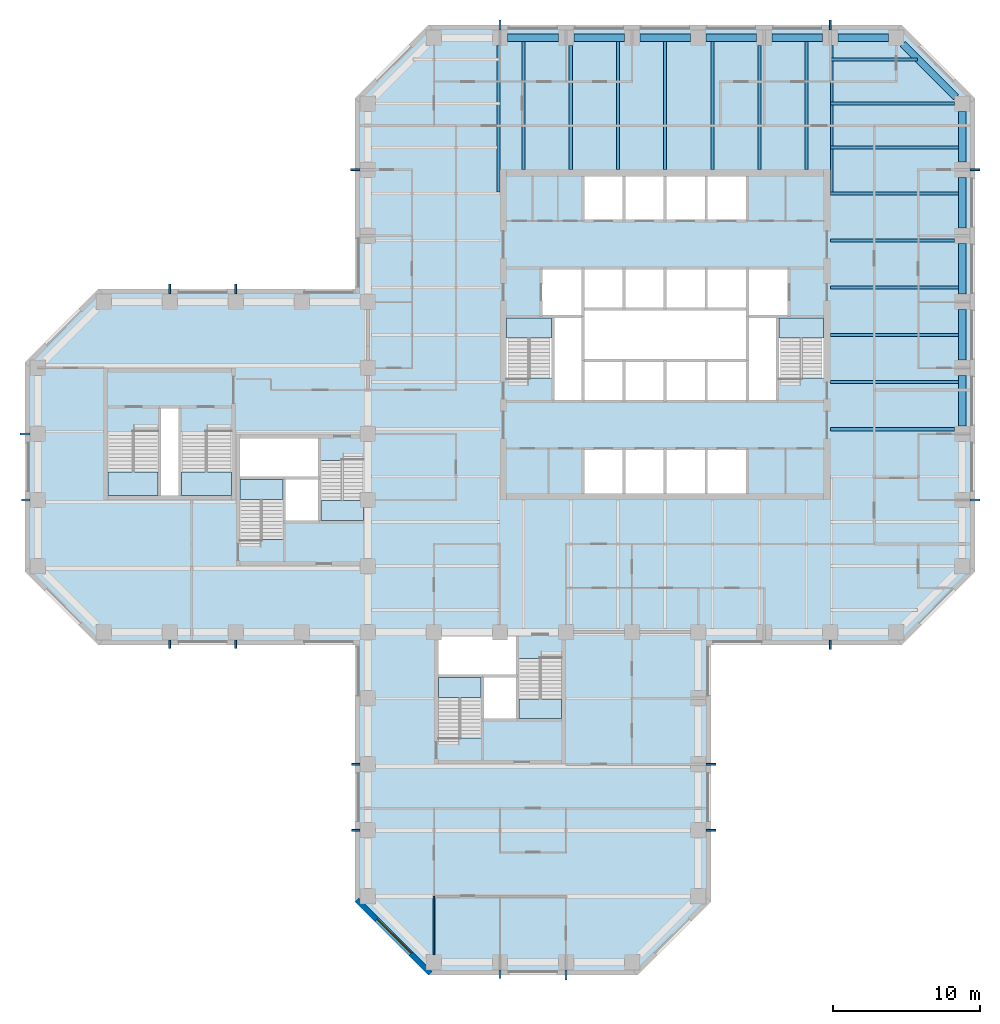
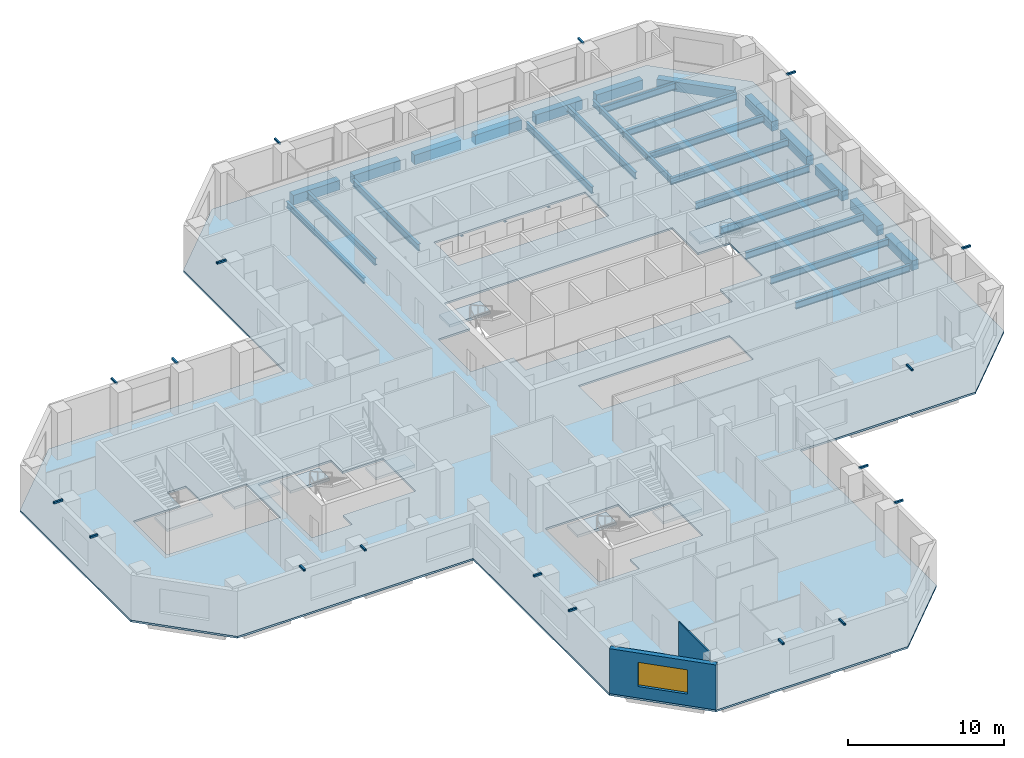
# One storey, part 2 of 11: 48 beams, 9 slabs, 2 walls, 1 window, 1 opening, 8 elements without a shape of their own.
"""IFC4 building model written with IfcOpenShell, lengths in metres."""

import ifcopenshell
import ifcopenshell.guid

model = None  # the IFC model being written
_history = None  # IfcOwnerHistory: only IFC2X3 demands one
_inside = {}  # id of a spatial element -> (the spatial element, [elements in it])
_under = {}  # id of a project, library or spatial element -> (it, [spatial elements below it])
_declared = {}  # id of a project -> (the project, [libraries it declares])
_typed = {}  # id of a type object -> (the type object, [elements of that type])
_made_of = {}  # id of a material, layer set ... -> (it, [elements and type objects made of it])


def new_model(schema):
    """Start an empty IFC model of exactly this schema.

    Asked for "IFC4X3", IfcOpenShell would pick the latest addendum, in which some entities
    have other attributes; the version numbers below select the first issue.
    IFC2X3 requires an IfcOwnerHistory on every rooted entity: one is made here for all.
    """
    global model, _history
    if schema == "IFC4X3":
        model = ifcopenshell.file(schema_version=(4, 3, 0, 0))
    else:
        model = ifcopenshell.file(schema=schema)
    _inside.clear()
    _under.clear()
    _declared.clear()
    _typed.clear()
    _made_of.clear()
    _history = None
    if model.schema == "IFC2X3":
        org = make("IfcOrganization", Name="unknown")
        user = make(
            "IfcPersonAndOrganization",
            ThePerson=make("IfcPerson", FamilyName="unknown"),
            TheOrganization=org,
        )
        app = make(
            "IfcApplication",
            ApplicationDeveloper=org,
            Version="unknown",
            ApplicationFullName="unknown",
            ApplicationIdentifier="unknown",
        )
        _history = make(
            "IfcOwnerHistory",
            OwningUser=user,
            OwningApplication=app,
            ChangeAction="ADDED",
            CreationDate=0,
        )
    return model


def make(cls, **values):
    """One entity of the class cls with the attributes given. An attribute that is None is left unset."""
    return model.create_entity(
        cls, **{name: value for name, value in values.items() if value is not None}
    )


def rooted(cls, **values):
    """An entity with a GlobalId (a new one), such as an element, a storey or a relation."""
    return make(cls, GlobalId=ifcopenshell.guid.new(), OwnerHistory=_history, **values)


def si_unit(unit_type, name, prefix=None):
    """IfcSIUnit, for example si_unit("LENGTHUNIT", "METRE", prefix="MILLI")."""
    return make("IfcSIUnit", UnitType=unit_type, Prefix=prefix, Name=name)


def assignment(units):
    """IfcUnitAssignment: the units of a project."""
    return None if units is None else make("IfcUnitAssignment", Units=units)


def point(xyz):
    """IfcCartesianPoint."""
    return None if xyz is None else make("IfcCartesianPoint", Coordinates=xyz)


def direction(xyz):
    """IfcDirection."""
    return None if xyz is None else make("IfcDirection", DirectionRatios=xyz)


def frame(location, z_axis=None, x_axis=None):
    """IfcAxis2Placement3D, a coordinate frame: its origin and axes. An axis left out is left unset."""
    return make(
        "IfcAxis2Placement3D",
        Location=point(location),
        Axis=direction(z_axis),
        RefDirection=direction(x_axis),
    )


def frame_2d(location, x_axis=None):
    """IfcAxis2Placement2D, a coordinate frame in the plane: its origin and x axis."""
    return make(
        "IfcAxis2Placement2D", Location=point(location), RefDirection=direction(x_axis)
    )


def origin():
    """The frame at (0, 0, 0) with its axes left unset."""
    return frame((0.0, 0.0, 0.0))


def origin_2d():
    """The frame at (0, 0) in the plane with its x axis left unset."""
    return frame_2d((0.0, 0.0))


def place(relative_to, where):
    """IfcLocalPlacement: puts the frame where relative to a parent placement (None: the world)."""
    return make(
        "IfcLocalPlacement", PlacementRelTo=relative_to, RelativePlacement=where
    )


def context(
    kind, dimensions, precision=None, world=None, true_north=None, identifier=None
):
    """IfcGeometricRepresentationContext, for example the 3D "Model" context."""
    return make(
        "IfcGeometricRepresentationContext",
        ContextIdentifier=identifier,
        ContextType=kind,
        CoordinateSpaceDimension=dimensions,
        Precision=precision,
        WorldCoordinateSystem=world,
        TrueNorth=true_north,
    )


def subcontext(parent, identifier, kind, view, scale=None):
    """IfcGeometricRepresentationSubContext, for example "Body" below "Model"."""
    return make(
        "IfcGeometricRepresentationSubContext",
        ContextIdentifier=identifier,
        ContextType=kind,
        ParentContext=parent,
        TargetScale=scale,
        TargetView=view,
    )


def project(units=None, contexts=None):
    """IfcProject with its units and contexts."""
    return rooted(
        "IfcProject",
        Name="project",
        RepresentationContexts=contexts,
        UnitsInContext=assignment(units),
    )


def spatial(cls, under=None, at=None, **own):
    """A site, building, storey or space (cls), placed at a placement, below another one or the project."""
    s = rooted(cls, ObjectPlacement=at, **own)
    if under is not None:
        _under.setdefault(under.id(), (under, []))[1].append(s)
    return s


def polyline(points):
    """IfcPolyline through the points."""
    return make("IfcPolyline", Points=[point(p) for p in points])


def profile(cls, at=None, kind="AREA", **sizes):
    """A parametric profile (cls). Its sizes go by their IFC names, for example OverallWidth=200.0."""
    return make(cls, ProfileType=kind, Position=at, **sizes)


def rectangle(**sizes):
    """IfcRectangleProfileDef."""
    return profile("IfcRectangleProfileDef", **sizes)


def hollow_rectangle(**sizes):
    """IfcRectangleHollowProfileDef."""
    return profile("IfcRectangleHollowProfileDef", **sizes)


def i_section(**sizes):
    """IfcIShapeProfileDef."""
    return profile("IfcIShapeProfileDef", **sizes)


def outline(outer, holes=None, kind="AREA"):
    """IfcArbitraryClosedProfileDef: a profile drawn as a closed curve; with holes, ...WithVoids."""
    if holes is None:
        return make("IfcArbitraryClosedProfileDef", ProfileType=kind, OuterCurve=outer)
    return make(
        "IfcArbitraryProfileDefWithVoids",
        ProfileType=kind,
        OuterCurve=outer,
        InnerCurves=holes,
    )


def extrude(swept, where, along, depth):
    """IfcExtrudedAreaSolid: the profile swept, set in the frame where, extruded along a direction by depth."""
    return make(
        "IfcExtrudedAreaSolid",
        SweptArea=swept,
        Position=where,
        ExtrudedDirection=direction(along),
        Depth=depth,
    )


def shape(context_of_items, identifier, shape_type, items):
    """IfcShapeRepresentation: the items that make up one representation, for example the "Body"."""
    return make(
        "IfcShapeRepresentation",
        ContextOfItems=context_of_items,
        RepresentationIdentifier=identifier,
        RepresentationType=shape_type,
        Items=items,
    )


def material(Name=None, Category=None):
    """IfcMaterial."""
    return make("IfcMaterial", Name=Name, Category=Category)


def layer(
    of_material, thickness, ventilated=None, Name=None, Category=None, Priority=None
):
    """IfcMaterialLayer: one layer of a wall or slab, of a material (None: an air gap)."""
    return make(
        "IfcMaterialLayer",
        Material=of_material,
        LayerThickness=thickness,
        IsVentilated=ventilated,
        Name=Name,
        Category=Category,
        Priority=Priority,
    )


def layer_set(layers, Name=None):
    """IfcMaterialLayerSet."""
    return make("IfcMaterialLayerSet", MaterialLayers=layers, LayerSetName=Name)


def constituent(of_material, Name=None, Category=None, fraction=None):
    """IfcMaterialConstituent: one of the materials an element consists of."""
    return make(
        "IfcMaterialConstituent",
        Name=Name,
        Material=of_material,
        Fraction=fraction,
        Category=Category,
    )


def constituent_set(constituents=None, Name=None):
    """IfcMaterialConstituentSet."""
    return make(
        "IfcMaterialConstituentSet", Name=Name, MaterialConstituents=constituents
    )


def material_profile(
    of_material, cross_section, Name=None, Category=None, Priority=None
):
    """IfcMaterialProfile: a cross section and its material."""
    return make(
        "IfcMaterialProfile",
        Name=Name,
        Material=of_material,
        Profile=cross_section,
        Priority=Priority,
        Category=Category,
    )


def profile_set(profiles, Name=None, composite=None):
    """IfcMaterialProfileSet."""
    return make(
        "IfcMaterialProfileSet",
        Name=Name,
        MaterialProfiles=profiles,
        CompositeProfile=composite,
    )


def made_of(thing, what):
    """Note that an element or type object is made of a material, layer set ...; save() writes the relation."""
    if what is not None:
        _made_of.setdefault(what.id(), (what, []))[1].append(thing)
    return thing


def type_object(cls, material=None, **own):
    """A type object (cls), such as IfcWallType, which elements share."""
    return made_of(rooted(cls, **own), material)


def element(
    cls,
    number,
    at=None,
    inside=None,
    cuts=None,
    type_object=None,
    material=None,
    context=None,
    identifier="Body",
    shape_type=None,
    held_by="IfcProductDefinitionShape",
    body=None,
    shapes=None,
    **own,
):
    """One element of the class cls, such as IfcWall. Its Tag is "e" and its number.

    at: its placement. inside: the storey or other place that contains it. cuts: it is an
    opening in that element (IfcRelVoidsElement). A single representation is given by context,
    identifier, shape_type and body (its items); several are given by shapes. held_by: the class
    of the entity that holds the representations. save() writes the other relations.
    """
    e = rooted(cls, Tag="e%d" % number, ObjectPlacement=at, **own)
    if body is not None:
        shapes = [shape(context, identifier, shape_type, body)]
    if shapes is not None:
        e.Representation = make(held_by, Representations=shapes)
    if inside is not None:
        _inside.setdefault(inside.id(), (inside, []))[1].append(e)
    if cuts is not None:
        rooted(
            "IfcRelVoidsElement", RelatingBuildingElement=cuts, RelatedOpeningElement=e
        )
    if type_object is not None:
        _typed.setdefault(type_object.id(), (type_object, []))[1].append(e)
    return made_of(e, material)


def fill(opening, filler):
    """IfcRelFillsElement: the door or window that sits in an opening."""
    return rooted(
        "IfcRelFillsElement",
        RelatingOpeningElement=opening,
        RelatedBuildingElement=filler,
    )


def aggregate(whole, parts):
    """IfcRelAggregates: a whole, such as a stair, and the parts it consists of."""
    return rooted("IfcRelAggregates", RelatingObject=whole, RelatedObjects=parts)


def save(model, path):
    """Write the relations noted so far, then the file.

    IfcRelAggregates (storeys below a building ...), IfcRelContainedInSpatialStructure (elements
    in a storey), IfcRelDefinesByType, IfcRelAssociatesMaterial and IfcRelDeclares: one each for
    every whole, place, type object, material and project.
    """
    for whole, parts in _under.values():
        aggregate(whole, parts)
    for where, things in _inside.values():
        rooted(
            "IfcRelContainedInSpatialStructure",
            RelatedElements=things,
            RelatingStructure=where,
        )
    for kind, things in _typed.values():
        rooted("IfcRelDefinesByType", RelatedObjects=things, RelatingType=kind)
    for what, things in _made_of.values():
        rooted("IfcRelAssociatesMaterial", RelatedObjects=things, RelatingMaterial=what)
    for by, libraries in _declared.values():
        rooted("IfcRelDeclares", RelatingContext=by, RelatedDefinitions=libraries)
    model.write(path)


model = new_model("IFC4")

# Units and contexts
model_context = context("Model", 3, precision=1e-05, world=origin(), true_north=direction((0.0, 1.0)))
body_context = subcontext(model_context, "Body", "Model", "MODEL_VIEW")
ifc_project = project(units=[si_unit("LENGTHUNIT", "METRE"), si_unit("AREAUNIT", "SQUARE_METRE"), si_unit("VOLUMEUNIT", "CUBIC_METRE"), si_unit("PLANEANGLEUNIT", "RADIAN"), si_unit("MASSUNIT", "GRAM", prefix="KILO")], contexts=[model_context])

# Site, building, storey
site_placement = place(None, origin())
site = spatial("IfcSite", under=ifc_project, at=site_placement, CompositionType="ELEMENT")
building_placement = place(site_placement, origin())
building = spatial("IfcBuilding", under=site, at=building_placement, Name="Quoin Convention Tower", CompositionType="ELEMENT")
storey_placement = place(building_placement, frame((0.0, 0.0, 108.5)))
storey = spatial("IfcBuildingStorey", under=building, at=storey_placement, Name="L28", CompositionType="ELEMENT", Elevation=108.5)

# Beams
ifc_material_1 = material(Name="Steel C450L0", Category="steel")
ifc_material_profile_1 = material_profile(ifc_material_1, hollow_rectangle(XDim=0.14990234375, YDim=0.14990234375, WallThickness=0.008056640625, InnerFilletRadius=0.011962890625, OuterFilletRadius=0.02001953125, at=origin_2d()), Name="150x150x8.0SHS")
ifc_profile_set_1 = profile_set([ifc_material_profile_1], Name="Steel C450L0")
beam_type_1 = type_object("IfcBeamType", Name="150x150x8.0SHS", PredefinedType="BEAM", material=ifc_profile_set_1)
beam_1_placement = place(storey_placement, frame((12.97509765625, 54.0, 3.625), z_axis=(-1.0, 0.0, 0.0), x_axis=(0.0, -1.0, 0.0)))
element("IfcBeam", 1, at=beam_1_placement, inside=storey, type_object=beam_type_1, Name="brk-hi-L25-13500_58500-13500_54000", PredefinedType="BEAM", context=body_context, shape_type="SweptSolid", body=[
    extrude(hollow_rectangle(XDim=0.14990234375, YDim=0.14990234375, WallThickness=0.008056640625, InnerFilletRadius=0.011962890625, OuterFilletRadius=0.02001953125, at=origin_2d()), origin(), (0.0, 0.0, 1.0), 0.675048828125),
])
for number, where, z_axis, x_axis, name in (
    (2, (12.97509765625, 49.5, 3.625), (-1.0, 0.0, 0.0), (0.0, -1.0, 0.0), "brk-hi-L25-13500_49500-13500_45000"),
    (3, (22.5, 39.97509765625, 3.625), (0.0, -1.0, 0.0), (1.0, 0.0, 0.0), "brk-hi-L25-18000_40500-22500_40500"),
    (4, (27.0, 39.97509765625, 3.625), (0.0, -1.0, 0.0), (1.0, 0.0, 0.0), "brk-hi-L25-27000_40500-31500_40500"),
    (5, (35.47509765625, 31.5, 3.625), (-1.0, 0.0, 0.0), (0.0, -1.0, 0.0), "brk-hi-L25-36000_36000-36000_31500"),
    (6, (35.47509765625, 27.0, 3.625), (-1.0, 0.0, 0.0), (0.0, -1.0, 0.0), "brk-hi-L25-36000_27000-36000_22500"),
):
    element("IfcBeam", number, at=place(storey_placement, frame(where, z_axis=z_axis, x_axis=x_axis)), inside=storey, type_object=beam_type_1, Name=name, PredefinedType="BEAM", context=body_context, shape_type="SweptSolid", body=[
        extrude(hollow_rectangle(XDim=0.14990234375, YDim=0.14990234375, WallThickness=0.008056640625, InnerFilletRadius=0.011962890625, OuterFilletRadius=0.02001953125, at=origin_2d()), origin(), (0.0, 0.0, 1.0), 0.5751953125),
    ])
for number, where, z_axis, x_axis, name in (
    (7, (27.0, 63.52490234375, 3.625), (0.0, 1.0, 0.0), (-1.0, 0.0, 0.0), "brk-hi-L25-31500_63000-27000_63000"),
    (8, (22.5, 63.52490234375, 3.625), (0.0, 1.0, 0.0), (-1.0, 0.0, 0.0), "brk-hi-L25-22500_63000-18000_63000"),
    (9, (35.47509765625, 72.0, 3.625), (-1.0, 0.0, 0.0), (0.0, -1.0, 0.0), "brk-hi-L25-36000_76500-36000_72000"),
):
    element("IfcBeam", number, at=place(storey_placement, frame(where, z_axis=z_axis, x_axis=x_axis)), inside=storey, type_object=beam_type_1, Name=name, PredefinedType="BEAM", context=body_context, shape_type="SweptSolid", body=[
        extrude(hollow_rectangle(XDim=0.14990234375, YDim=0.14990234375, WallThickness=0.008056640625, InnerFilletRadius=0.011962890625, OuterFilletRadius=0.02001953125, at=origin_2d()), origin(), (0.0, 0.0, 1.0), 0.675048828125),
    ])
beam_2_placement = place(storey_placement, frame((45.0, 17.47509765625, 3.625), z_axis=(0.0, -1.0, 0.0), x_axis=(1.0, 0.0, 0.0)))
element("IfcBeam", 10, at=beam_2_placement, inside=storey, type_object=beam_type_1, Name="brk-hi-L25-40500_18000-45000_18000", PredefinedType="BEAM", context=body_context, shape_type="SweptSolid", body=[
    extrude(hollow_rectangle(XDim=0.14990234375, YDim=0.14990234375, WallThickness=0.008056640625, InnerFilletRadius=0.011962890625, OuterFilletRadius=0.02001953125, at=origin_2d()), origin(), (0.0, 0.0, 1.0), 0.5751953125),
])
for number, where, z_axis, x_axis, name in (
    (11, (49.5, 17.47509765625, 3.625), (0.0, -1.0, 0.0), (1.0, 0.0, 0.0), "brk-hi-L25-49500_18000-54000_18000"),
    (12, (59.02490234375, 27.0, 3.625), (1.0, 0.0, 0.0), (0.0, 1.0, 0.0), "brk-hi-L25-58500_22500-58500_27000"),
    (13, (59.02490234375, 31.5, 3.625), (1.0, 0.0, 0.0), (0.0, 1.0, 0.0), "brk-hi-L25-58500_31500-58500_36000"),
    (14, (67.5, 39.97509765625, 3.625), (0.0, -1.0, 0.0), (1.0, 0.0, 0.0), "brk-hi-L25-63000_40500-67500_40500"),
    (15, (67.5, 81.52490234375, 3.625), (0.0, 1.0, 0.0), (-1.0, 0.0, 0.0), "brk-hi-L25-72000_81000-67500_81000"),
    (16, (45.0, 81.52490234375, 3.625), (0.0, 1.0, 0.0), (-1.0, 0.0, 0.0), "brk-hi-L25-45000_81000-40500_81000"),
    (17, (77.02490234375, 49.5, 3.625), (1.0, 0.0, 0.0), (0.0, 1.0, 0.0), "brk-hi-L25-76500_45000-76500_49500"),
    (18, (77.02490234375, 72.0, 3.625), (1.0, 0.0, 0.0), (0.0, 1.0, 0.0), "brk-hi-L25-76500_72000-76500_76500"),
):
    element("IfcBeam", number, at=place(storey_placement, frame(where, z_axis=z_axis, x_axis=x_axis)), inside=storey, type_object=beam_type_1, Name=name, PredefinedType="BEAM", context=body_context, shape_type="SweptSolid", body=[
        extrude(hollow_rectangle(XDim=0.14990234375, YDim=0.14990234375, WallThickness=0.008056640625, InnerFilletRadius=0.011962890625, OuterFilletRadius=0.02001953125, at=origin_2d()), origin(), (0.0, 0.0, 1.0), 0.675048828125),
    ])
ifc_material_2 = material(Name="Steel Grade 300", Category="steel")
ifc_material_profile_2 = material_profile(ifc_material_2, i_section(OverallWidth=0.18994140625, OverallDepth=0.4541015625, WebThickness=0.008544921875, FlangeThickness=0.0126953125, FilletRadius=0.011474609375, at=origin_2d()), Name="460UB67.1")
ifc_profile_set_2 = profile_set([ifc_material_profile_2], Name="Steel Grade 300")
beam_type_2 = type_object("IfcBeamType", Name="460UB67.1", PredefinedType="BEAM", material=ifc_profile_set_2)
for number, where, z_axis, x_axis, name in (
    (19, (44.8955078125, 80.47509765625, -0.376953125), (0.0, -1.0, 0.0), (1.0, 0.0, 0.0), "gir-L28-T1NW"),
    (20, (67.6044921875, 80.47509765625, -0.376953125), (0.0, -1.0, 0.0), (1.0, 0.0, 0.0), "gir-L28-T1NE"),
):
    element("IfcBeam", number, at=place(storey_placement, frame(where, z_axis=z_axis, x_axis=x_axis)), inside=storey, type_object=beam_type_2, Name=name, PredefinedType="BEAM", context=body_context, shape_type="SweptSolid", body=[
        extrude(i_section(OverallWidth=0.18994140625, OverallDepth=0.4541015625, WebThickness=0.008544921875, FlangeThickness=0.0126953125, FilletRadius=0.011474609375, at=origin_2d()), origin(), (0.0, 0.0, 1.0), 9.977783203125),
    ])
ifc_material_profile_3 = material_profile(ifc_material_2, i_section(OverallWidth=0.208984375, OverallDepth=0.528076171875, WebThickness=0.009521484375, FlangeThickness=0.01318359375, FilletRadius=0.013916015625, at=origin_2d()), Name="530UB82.0")
ifc_profile_set_3 = profile_set([ifc_material_profile_3], Name="Steel Grade 300")
beam_type_3 = type_object("IfcBeamType", Name="530UB82.0", PredefinedType="BEAM", material=ifc_profile_set_3)
beam_3_placement = place(storey_placement, frame((67.5, 54.3212890625, -0.4140625), z_axis=(1.0, 0.0, 0.0), x_axis=(0.0, 1.0, 0.0)))
element("IfcBeam", 21, at=beam_3_placement, inside=storey, type_object=beam_type_3, Name="bm-L28-T1E1", PredefinedType="BEAM", context=body_context, shape_type="SweptSolid", body=[
    extrude(i_section(OverallWidth=0.208984375, OverallDepth=0.528076171875, WebThickness=0.009521484375, FlangeThickness=0.01318359375, FilletRadius=0.013916015625, at=origin_2d()), origin(), (0.0, 0.0, 1.0), 8.47509765625),
])
for number, where, z_axis, x_axis, name in (
    (22, (67.5, 57.53564453125, -0.4140625), (1.0, 0.0, 0.0), (0.0, 1.0, 0.0), "bm-L28-T1E2"),
    (23, (67.5, 60.75, -0.4140625), (1.0, 0.0, 0.0), (0.0, 1.0, 0.0), "bm-L28-T1E3"),
    (24, (67.5, 63.96435546875, -0.4140625), (1.0, 0.0, 0.0), (0.0, 1.0, 0.0), "bm-L28-T1E4"),
):
    element("IfcBeam", number, at=place(storey_placement, frame(where, z_axis=z_axis, x_axis=x_axis)), inside=storey, type_object=beam_type_3, Name=name, PredefinedType="BEAM", context=body_context, shape_type="SweptSolid", body=[
        extrude(i_section(OverallWidth=0.208984375, OverallDepth=0.528076171875, WebThickness=0.009521484375, FlangeThickness=0.01318359375, FilletRadius=0.013916015625, at=origin_2d()), origin(), (0.0, 0.0, 1.0), 8.75),
    ])
beam_4_placement = place(storey_placement, frame((67.5, 67.1787109375, -0.4140625), z_axis=(1.0, 0.0, 0.0), x_axis=(0.0, 1.0, 0.0)))
element("IfcBeam", 25, at=beam_4_placement, inside=storey, type_object=beam_type_3, Name="bm-L28-T1E5", PredefinedType="BEAM", context=body_context, shape_type="SweptSolid", body=[
    extrude(i_section(OverallWidth=0.208984375, OverallDepth=0.528076171875, WebThickness=0.009521484375, FlangeThickness=0.01318359375, FilletRadius=0.013916015625, at=origin_2d()), origin(), (0.0, 0.0, 1.0), 8.47509765625),
])
for number, where, z_axis, x_axis, name in (
    (26, (67.5, 70.392822265625, -0.4140625), (1.0, 0.0, 0.0), (0.0, 1.0, 0.0), "bm-L28-T1E6"),
    (27, (46.607177734375, 72.0, -0.4140625), (0.0, 1.0, 0.0), (-1.0, 0.0, 0.0), "bm-L28-T1N0"),
):
    element("IfcBeam", number, at=place(storey_placement, frame(where, z_axis=z_axis, x_axis=x_axis)), inside=storey, type_object=beam_type_3, Name=name, PredefinedType="BEAM", context=body_context, shape_type="SweptSolid", body=[
        extrude(i_section(OverallWidth=0.208984375, OverallDepth=0.528076171875, WebThickness=0.009521484375, FlangeThickness=0.01318359375, FilletRadius=0.013916015625, at=origin_2d()), origin(), (0.0, 0.0, 1.0), 8.75),
    ])
beam_5_placement = place(storey_placement, frame((49.8212890625, 72.0, -0.4140625), z_axis=(0.0, 1.0, 0.0), x_axis=(-1.0, 0.0, 0.0)))
element("IfcBeam", 28, at=beam_5_placement, inside=storey, type_object=beam_type_3, Name="bm-L28-T1N1", PredefinedType="BEAM", context=body_context, shape_type="SweptSolid", body=[
    extrude(i_section(OverallWidth=0.208984375, OverallDepth=0.528076171875, WebThickness=0.009521484375, FlangeThickness=0.01318359375, FilletRadius=0.013916015625, at=origin_2d()), origin(), (0.0, 0.0, 1.0), 8.47509765625),
])
for number, where, z_axis, x_axis, name in (
    (29, (53.03564453125, 72.0, -0.4140625), (0.0, 1.0, 0.0), (-1.0, 0.0, 0.0), "bm-L28-T1N2"),
    (30, (56.25, 72.0, -0.4140625), (0.0, 1.0, 0.0), (-1.0, 0.0, 0.0), "bm-L28-T1N3"),
    (31, (59.46435546875, 72.0, -0.4140625), (0.0, 1.0, 0.0), (-1.0, 0.0, 0.0), "bm-L28-T1N4"),
):
    element("IfcBeam", number, at=place(storey_placement, frame(where, z_axis=z_axis, x_axis=x_axis)), inside=storey, type_object=beam_type_3, Name=name, PredefinedType="BEAM", context=body_context, shape_type="SweptSolid", body=[
        extrude(i_section(OverallWidth=0.208984375, OverallDepth=0.528076171875, WebThickness=0.009521484375, FlangeThickness=0.01318359375, FilletRadius=0.013916015625, at=origin_2d()), origin(), (0.0, 0.0, 1.0), 8.75),
    ])
beam_6_placement = place(storey_placement, frame((62.6787109375, 72.0, -0.4140625), z_axis=(0.0, 1.0, 0.0), x_axis=(-1.0, 0.0, 0.0)))
element("IfcBeam", 32, at=beam_6_placement, inside=storey, type_object=beam_type_3, Name="bm-L28-T1N5", PredefinedType="BEAM", context=body_context, shape_type="SweptSolid", body=[
    extrude(i_section(OverallWidth=0.208984375, OverallDepth=0.528076171875, WebThickness=0.009521484375, FlangeThickness=0.01318359375, FilletRadius=0.013916015625, at=origin_2d()), origin(), (0.0, 0.0, 1.0), 8.47509765625),
])
beam_7_placement = place(storey_placement, frame((65.892822265625, 72.0, -0.4140625), z_axis=(0.0, 1.0, 0.0), x_axis=(-1.0, 0.0, 0.0)))
element("IfcBeam", 33, at=beam_7_placement, inside=storey, type_object=beam_type_3, Name="bm-L28-T1N6", PredefinedType="BEAM", context=body_context, shape_type="SweptSolid", body=[
    extrude(i_section(OverallWidth=0.208984375, OverallDepth=0.528076171875, WebThickness=0.009521484375, FlangeThickness=0.01318359375, FilletRadius=0.013916015625, at=origin_2d()), origin(), (0.0, 0.0, 1.0), 8.75),
])
beam_8_placement = place(storey_placement, frame((67.5, 79.5, -0.4140625), z_axis=(1.0, 0.0, 0.0), x_axis=(0.0, 1.0, 0.0)))
element("IfcBeam", 34, at=beam_8_placement, inside=storey, type_object=beam_type_3, Name="bm-L28-T1NE0", PredefinedType="BEAM", context=body_context, shape_type="SweptSolid", body=[
    extrude(i_section(OverallWidth=0.208984375, OverallDepth=0.528076171875, WebThickness=0.009521484375, FlangeThickness=0.01318359375, FilletRadius=0.013916015625, at=origin_2d()), origin(), (0.0, 0.0, 1.0), 5.927734375),
])
beam_9_placement = place(storey_placement, frame((67.5, 76.5, -0.4140625), z_axis=(1.0, 0.0, 0.0), x_axis=(0.0, 1.0, 0.0)))
element("IfcBeam", 35, at=beam_9_placement, inside=storey, type_object=beam_type_3, Name="bm-L28-T1NE1", PredefinedType="BEAM", context=body_context, shape_type="SweptSolid", body=[
    extrude(i_section(OverallWidth=0.208984375, OverallDepth=0.528076171875, WebThickness=0.009521484375, FlangeThickness=0.01318359375, FilletRadius=0.013916015625, at=origin_2d()), origin(), (0.0, 0.0, 1.0), 8.47509765625),
])
beam_10_placement = place(storey_placement, frame((67.5, 73.5, -0.4140625), z_axis=(1.0, 0.0, 0.0), x_axis=(0.0, 1.0, 0.0)))
element("IfcBeam", 36, at=beam_10_placement, inside=storey, type_object=beam_type_3, Name="bm-L28-T1NE2", PredefinedType="BEAM", context=body_context, shape_type="SweptSolid", body=[
    extrude(i_section(OverallWidth=0.208984375, OverallDepth=0.528076171875, WebThickness=0.009521484375, FlangeThickness=0.01318359375, FilletRadius=0.013916015625, at=origin_2d()), origin(), (0.0, 0.0, 1.0), 8.75),
])
ifc_material_3 = material(Name="Concrete C65", Category="concrete")
ifc_material_profile_4 = material_profile(ifc_material_3, rectangle(XDim=0.5, YDim=0.75, at=origin_2d()), Name="RC 500x750")
ifc_profile_set_4 = profile_set([ifc_material_profile_4], Name="Concrete C65")
beam_type_4 = type_object("IfcBeamType", Name="RC 500x750 C65", PredefinedType="SPANDREL", material=ifc_profile_set_4)
for number, where, z_axis, x_axis, name in (
    (37, (76.5, 54.52490234375, -0.52490234375), (0.0, 1.0, 0.0), (-1.0, 0.0, 0.0), "spd-L28-76500_54000-76500_58500"),
    (38, (76.5, 59.02490234375, -0.52490234375), (0.0, 1.0, 0.0), (-1.0, 0.0, 0.0), "spd-L28-76500_58500-76500_63000"),
    (39, (76.5, 63.52490234375, -0.52490234375), (0.0, 1.0, 0.0), (-1.0, 0.0, 0.0), "spd-L28-76500_63000-76500_67500"),
    (40, (76.5, 68.02490234375, -0.52490234375), (0.0, 1.0, 0.0), (-1.0, 0.0, 0.0), "spd-L28-76500_67500-76500_72000"),
    (41, (76.5, 72.52490234375, -0.52490234375), (0.0, 1.0, 0.0), (-1.0, 0.0, 0.0), "spd-L28-76500_72000-76500_76500"),
):
    element("IfcBeam", number, at=place(storey_placement, frame(where, z_axis=z_axis, x_axis=x_axis)), inside=storey, type_object=beam_type_4, Name=name, PredefinedType="SPANDREL", context=body_context, shape_type="SweptSolid", body=[
        extrude(rectangle(XDim=0.5, YDim=0.75, at=origin_2d()), origin(), (0.0, 0.0, 1.0), 3.4501953125),
    ])
beam_11_placement = place(storey_placement, frame((76.059814453125, 76.940185546875, -0.52490234375), z_axis=(-0.707106781187, 0.707106781187, 0.0), x_axis=(-0.707106781187, -0.707106781187, 0.0)))
element("IfcBeam", 42, at=beam_11_placement, inside=storey, type_object=beam_type_4, Name="spd-L28-76500_76500-72000_81000", PredefinedType="SPANDREL", context=body_context, shape_type="SweptSolid", body=[
    extrude(rectangle(XDim=0.5, YDim=0.75, at=origin_2d()), origin(), (0.0, 0.0, 1.0), 5.118896484375),
])
for number, where, z_axis, x_axis, name in (
    (43, (71.47509765625, 81.0, -0.52490234375), (-1.0, 0.0, 0.0), (0.0, -1.0, 0.0), "spd-L28-72000_81000-67500_81000"),
    (44, (66.97509765625, 81.0, -0.52490234375), (-1.0, 0.0, 0.0), (0.0, -1.0, 0.0), "spd-L28-67500_81000-63000_81000"),
    (45, (62.47509765625, 81.0, -0.52490234375), (-1.0, 0.0, 0.0), (0.0, -1.0, 0.0), "spd-L28-63000_81000-58500_81000"),
    (46, (57.97509765625, 81.0, -0.52490234375), (-1.0, 0.0, 0.0), (0.0, -1.0, 0.0), "spd-L28-58500_81000-54000_81000"),
    (47, (53.47509765625, 81.0, -0.52490234375), (-1.0, 0.0, 0.0), (0.0, -1.0, 0.0), "spd-L28-54000_81000-49500_81000"),
    (48, (48.97509765625, 81.0, -0.52490234375), (-1.0, 0.0, 0.0), (0.0, -1.0, 0.0), "spd-L28-49500_81000-45000_81000"),
):
    element("IfcBeam", number, at=place(storey_placement, frame(where, z_axis=z_axis, x_axis=x_axis)), inside=storey, type_object=beam_type_4, Name=name, PredefinedType="SPANDREL", context=body_context, shape_type="SweptSolid", body=[
        extrude(rectangle(XDim=0.5, YDim=0.75, at=origin_2d()), origin(), (0.0, 0.0, 1.0), 3.4501953125),
    ])

# Slab
ifc_material_4 = material(Name="Concrete C40", Category="concrete")
ifc_layer_1 = layer(ifc_material_4, 0.14990234375)
ifc_layer_set_1 = layer_set([ifc_layer_1], Name="Concrete C40")
slab_type_1 = type_object("IfcSlabType", Name="COMPOSITE SLAB 150 C40", PredefinedType="FLOOR", material=ifc_layer_set_1)
slab_1_placement = place(storey_placement, frame((0.0, 0.0, -0.14990234375)))
element("IfcSlab", 49, at=slab_1_placement, inside=storey, type_object=slab_type_1, Name="slb-L28", PredefinedType="FLOOR", context=body_context, shape_type="SweptSolid", body=[
    extrude(outline(polyline([(59.375, 22.1376953125), (54.3623046875, 17.125), (40.1376953125, 17.125), (35.125, 22.1376953125), (35.125, 39.625), (17.6376953125, 39.625), (12.625, 44.6376953125), (12.625, 58.8623046875), (17.6376953125, 63.875), (35.125, 63.875), (35.125, 76.8623046875), (40.1376953125, 81.875), (72.3623046875, 81.875), (77.375, 76.8623046875), (77.375, 44.6376953125), (72.3623046875, 39.625), (59.375, 39.625), (59.375, 22.1376953125)]), holes=[polyline([(40.800048828125, 40.199951171875), (40.800048828125, 37.5), (40.800048828125, 33.300537109375), (43.800048828125, 33.300537109375), (43.800048828125, 34.5), (46.199951171875, 34.5), (49.199951171875, 34.5), (49.199951171875, 38.699462890625), (46.199951171875, 38.699462890625), (46.199951171875, 40.199951171875), (40.800048828125, 40.199951171875)]), polyline([(35.699951171875, 52.199462890625), (32.699951171875, 52.199462890625), (32.699951171875, 53.699951171875), (27.300048828125, 53.699951171875), (27.300048828125, 51.0), (27.300048828125, 46.800537109375), (30.300048828125, 46.800537109375), (30.300048828125, 48.0), (32.699951171875, 48.0), (35.699951171875, 48.0), (35.699951171875, 52.199462890625)]), polyline([(53.449951171875, 49.949951171875), (56.25, 49.949951171875), (59.050048828125, 49.949951171875), (61.85009765625, 49.949951171875), (61.85009765625, 53.0), (59.050048828125, 53.0), (56.25, 53.0), (53.449951171875, 53.0), (50.64990234375, 53.0), (50.64990234375, 49.949951171875), (53.449951171875, 49.949951171875)]), polyline([(21.800048828125, 55.85009765625), (21.800048828125, 54.1494140625), (18.300048828125, 54.1494140625), (18.300048828125, 49.800048828125), (21.800048828125, 49.800048828125), (23.199951171875, 49.800048828125), (26.699951171875, 49.800048828125), (26.699951171875, 54.1494140625), (23.199951171875, 54.1494140625), (23.199951171875, 55.85009765625), (21.800048828125, 55.85009765625)]), polyline([(48.60009765625, 57.800537109375), (48.60009765625, 56.199951171875), (50.64990234375, 56.199951171875), (53.449951171875, 56.199951171875), (56.25, 56.199951171875), (59.050048828125, 56.199951171875), (61.85009765625, 56.199951171875), (63.89990234375, 56.199951171875), (63.89990234375, 57.800537109375), (67.050048828125, 57.800537109375), (67.050048828125, 62.0), (64.699951171875, 62.0), (64.699951171875, 65.300048828125), (61.85009765625, 65.300048828125), (59.050048828125, 65.300048828125), (56.25, 65.300048828125), (53.449951171875, 65.300048828125), (50.64990234375, 65.300048828125), (47.800048828125, 65.300048828125), (47.800048828125, 62.0), (45.449951171875, 62.0), (45.449951171875, 57.800537109375), (48.60009765625, 57.800537109375)]), polyline([(50.64990234375, 68.5), (53.449951171875, 68.5), (56.25, 68.5), (59.050048828125, 68.5), (61.85009765625, 68.5), (61.85009765625, 71.550048828125), (59.050048828125, 71.550048828125), (56.25, 71.550048828125), (53.449951171875, 71.550048828125), (50.64990234375, 71.550048828125), (50.64990234375, 68.5)])]), origin(), (0.0, 0.0, 1.0), 0.14990234375),
])

# Stair, slab
stair_type_1 = type_object("IfcStairType", Name="Exit stair two-flight 1350", PredefinedType="HALF_TURN_STAIR", material=ifc_material_4)
stair_1_placement = place(storey_placement, origin())
stair_1 = element("IfcStair", 50, at=stair_1_placement, inside=storey, type_object=stair_type_1, Name="SD1 L28", PredefinedType="HALF_TURN_STAIR")
ifc_layer_2 = layer(ifc_material_4, 0.199951171875)
ifc_layer_set_2 = layer_set([ifc_layer_2], Name="Concrete C40")
slab_type_2 = type_object("IfcSlabType", Name="Stair landing 200", PredefinedType="LANDING", material=ifc_layer_set_2)
slab_2_placement = place(storey_placement, frame((0.0, 0.0, 1.792236328125)))
slab_2 = element("IfcSlab", 51, at=slab_2_placement, type_object=slab_type_2, Name="ST1 landing 1", PredefinedType="LANDING", context=body_context, shape_type="SweptSolid", body=[
    extrude(outline(polyline([(45.449951171875, 60.550048828125), (48.5, 60.550048828125), (48.5, 61.89990234375), (45.449951171875, 61.89990234375), (45.449951171875, 60.550048828125)])), origin(), (0.0, 0.0, 1.0), 0.199951171875),
])
aggregate(stair_1, [slab_2])

stair_2_placement = place(storey_placement, origin())
stair_2 = element("IfcStair", 52, at=stair_2_placement, inside=storey, type_object=stair_type_1, Name="SD2 L28", PredefinedType="HALF_TURN_STAIR")
slab_3_placement = place(storey_placement, frame((0.0, 0.0, 1.792236328125)))
slab_3 = element("IfcSlab", 53, at=slab_3_placement, type_object=slab_type_2, Name="ST2 landing 1", PredefinedType="LANDING", context=body_context, shape_type="SweptSolid", body=[
    extrude(outline(polyline([(64.0, 60.550048828125), (67.050048828125, 60.550048828125), (67.050048828125, 61.89990234375), (64.0, 61.89990234375), (64.0, 60.550048828125)])), origin(), (0.0, 0.0, 1.0), 0.199951171875),
])
aggregate(stair_2, [slab_3])

stair_3_placement = place(storey_placement, origin())
stair_3 = element("IfcStair", 54, at=stair_3_placement, inside=storey, type_object=stair_type_1, Name="SD3 L28", PredefinedType="HALF_TURN_STAIR")
slab_4_placement = place(storey_placement, frame((0.0, 0.0, 1.792236328125)))
slab_4 = element("IfcSlab", 55, at=slab_4_placement, type_object=slab_type_2, Name="ST3 landing 1", PredefinedType="LANDING", context=body_context, shape_type="SweptSolid", body=[
    extrude(outline(polyline([(27.300048828125, 49.550048828125), (30.199951171875, 49.550048828125), (30.199951171875, 50.89990234375), (27.300048828125, 50.89990234375), (27.300048828125, 49.550048828125)])), origin(), (0.0, 0.0, 1.0), 0.199951171875),
])
aggregate(stair_3, [slab_4])

stair_4_placement = place(storey_placement, origin())
stair_4 = element("IfcStair", 56, at=stair_4_placement, inside=storey, type_object=stair_type_1, Name="SD4 L28", PredefinedType="HALF_TURN_STAIR")
slab_5_placement = place(storey_placement, frame((0.0, 0.0, 1.792236328125)))
slab_5 = element("IfcSlab", 57, at=slab_5_placement, type_object=slab_type_2, Name="ST4 landing 1", PredefinedType="LANDING", context=body_context, shape_type="SweptSolid", body=[
    extrude(outline(polyline([(35.699951171875, 49.449951171875), (32.800048828125, 49.449951171875), (32.800048828125, 48.10009765625), (35.699951171875, 48.10009765625), (35.699951171875, 49.449951171875)])), origin(), (0.0, 0.0, 1.0), 0.199951171875),
])
aggregate(stair_4, [slab_5])

stair_5_placement = place(storey_placement, origin())
stair_5 = element("IfcStair", 58, at=stair_5_placement, inside=storey, type_object=stair_type_1, Name="SD5 L28", PredefinedType="HALF_TURN_STAIR")
slab_6_placement = place(storey_placement, frame((0.0, 0.0, 1.792236328125)))
slab_6 = element("IfcSlab", 59, at=slab_6_placement, type_object=slab_type_2, Name="ST5 landing 1", PredefinedType="LANDING", context=body_context, shape_type="SweptSolid", body=[
    extrude(outline(polyline([(40.800048828125, 36.050048828125), (43.699951171875, 36.050048828125), (43.699951171875, 37.39990234375), (40.800048828125, 37.39990234375), (40.800048828125, 36.050048828125)])), origin(), (0.0, 0.0, 1.0), 0.199951171875),
])
aggregate(stair_5, [slab_6])

stair_6_placement = place(storey_placement, origin())
stair_6 = element("IfcStair", 60, at=stair_6_placement, inside=storey, type_object=stair_type_1, Name="SD6 L28", PredefinedType="HALF_TURN_STAIR")
slab_7_placement = place(storey_placement, frame((0.0, 0.0, 1.792236328125)))
slab_7 = element("IfcSlab", 61, at=slab_7_placement, type_object=slab_type_2, Name="ST6 landing 1", PredefinedType="LANDING", context=body_context, shape_type="SweptSolid", body=[
    extrude(outline(polyline([(49.199951171875, 35.949951171875), (46.300048828125, 35.949951171875), (46.300048828125, 34.60009765625), (49.199951171875, 34.60009765625), (49.199951171875, 35.949951171875)])), origin(), (0.0, 0.0, 1.0), 0.199951171875),
])
aggregate(stair_6, [slab_7])

stair_type_2 = type_object("IfcStairType", Name="Exit stair two-flight 1600", PredefinedType="HALF_TURN_STAIR", material=ifc_material_4)
stair_7_placement = place(storey_placement, origin())
stair_7 = element("IfcStair", 62, at=stair_7_placement, inside=storey, type_object=stair_type_2, Name="SD11 L28", PredefinedType="HALF_TURN_STAIR")
slab_8_placement = place(storey_placement, frame((0.0, 0.0, 1.792236328125)))
slab_8 = element("IfcSlab", 63, at=slab_8_placement, type_object=slab_type_2, Name="ST11 landing 1", PredefinedType="LANDING", context=body_context, shape_type="SweptSolid", body=[
    extrude(outline(polyline([(21.699951171875, 51.39990234375), (18.300048828125, 51.39990234375), (18.300048828125, 49.800048828125), (21.699951171875, 49.800048828125), (21.699951171875, 51.39990234375)])), origin(), (0.0, 0.0, 1.0), 0.199951171875),
])
aggregate(stair_7, [slab_8])

stair_8_placement = place(storey_placement, origin())
stair_8 = element("IfcStair", 64, at=stair_8_placement, inside=storey, type_object=stair_type_2, Name="SD12 L28", PredefinedType="HALF_TURN_STAIR")
slab_9_placement = place(storey_placement, frame((0.0, 0.0, 1.792236328125)))
slab_9 = element("IfcSlab", 65, at=slab_9_placement, type_object=slab_type_2, Name="ST12 landing 1", PredefinedType="LANDING", context=body_context, shape_type="SweptSolid", body=[
    extrude(outline(polyline([(26.699951171875, 51.39990234375), (23.300048828125, 51.39990234375), (23.300048828125, 49.800048828125), (26.699951171875, 49.800048828125), (26.699951171875, 51.39990234375)])), origin(), (0.0, 0.0, 1.0), 0.199951171875),
])
aggregate(stair_8, [slab_9])

# Wall, opening, window
ifc_material_5 = material(Name="Brick masonry", Category="masonry")
ifc_layer_3 = layer(ifc_material_5, 0.35009765625)
ifc_layer_set_3 = layer_set([ifc_layer_3], Name="Brick masonry")
wall_type_1 = type_object("IfcWallType", Name="Brick facade wall", PredefinedType="STANDARD", material=ifc_layer_set_3)
wall_1_placement = place(storey_placement, frame((35.248779296875, 22.26123046875, 0.0), z_axis=(0.0, 0.0, 1.0), x_axis=(0.707106781187, -0.707106781187, 0.0)))
wall_1 = element("IfcWall", 66, at=wall_1_placement, inside=storey, type_object=wall_type_1, Name="fw-L28-36000_22500", PredefinedType="STANDARD", context=body_context, shape_type="SweptSolid", body=[
    extrude(rectangle(XDim=7.088623046875, YDim=0.35009765625, at=frame_2d((3.54443359375, 0.0))), origin(), (0.0, 0.0, 1.0), 3.52490234375),
])
opening_placement = place(wall_1_placement, frame((1.894287109375, 0.0, 0.89990234375)))
opening = element("IfcOpeningElement", 67, at=opening_placement, cuts=wall_1, Name="Opening W-02", PredefinedType="OPENING", context=body_context, shape_type="SweptSolid", body=[
    extrude(rectangle(XDim=3.300048828125, YDim=1.89990234375, at=frame_2d((1.64990234375, 0.949951171875))), frame((0.0, 0.18505859375, 0.0), z_axis=(0.0, -1.0, 0.0), x_axis=(1.0, 0.0, 0.0)), (0.0, 0.0, 1.0), 0.3701171875),
])
ifc_material_6 = material(Name="Aluminium", Category="aluminium")
ifc_constituent_1 = constituent(ifc_material_6, Name="Frame")
ifc_material_7 = material(Name="Insulated glass", Category="glass")
ifc_constituent_2 = constituent(ifc_material_7, Name="Glazing")
ifc_constituent_set = constituent_set(constituents=[ifc_constituent_1, ifc_constituent_2], Name="Aluminium")
window_type = type_object("IfcWindowType", Name="Office window", PartitioningType="DOUBLE_PANEL_VERTICAL", PredefinedType="WINDOW", material=ifc_constituent_set)
window_placement = place(opening_placement, origin())
window = element("IfcWindow", 68, at=window_placement, inside=storey, type_object=window_type, Name="win-L28-37755_19755", OverallHeight=1.89990234375, OverallWidth=3.300048828125, PartitioningType="SINGLE_PANEL", PredefinedType="WINDOW", context=body_context, shape_type="SweptSolid", body=[
    extrude(rectangle(XDim=3.300048828125, YDim=1.89990234375, at=frame_2d((1.64990234375, 0.949951171875))), frame((0.0, 0.0849609375, 0.0), z_axis=(0.0, -1.0, 0.0), x_axis=(1.0, 0.0, 0.0)), (0.0, 0.0, 1.0), 0.06005859375),
])
fill(opening, window)

# Wall
ifc_material_8 = material(Name="Plasterboard")
ifc_layer_4 = layer(ifc_material_8, 0.012451171875, Name="Finish")
ifc_material_9 = material(Name="Steel stud framing", Category="steel")
ifc_layer_5 = layer(ifc_material_9, 0.074951171875, Name="Structure")
ifc_layer_6 = layer(ifc_material_8, 0.012451171875, Name="Finish")
ifc_layer_set_4 = layer_set([ifc_layer_4, ifc_layer_5, ifc_layer_6], Name="Steel stud framing")
wall_type_2 = type_object("IfcWallType", Name="Stud partition 100", PredefinedType="PARTITIONING", material=ifc_layer_set_4)
wall_2_placement = place(storey_placement, frame((40.5, 18.52490234375, 0.0), z_axis=(0.0, 0.0, 1.0), x_axis=(0.0, 1.0, 0.0)))
element("IfcWall", 69, at=wall_2_placement, inside=storey, type_object=wall_type_2, Name="pw-L28-065", PredefinedType="PARTITIONING", context=body_context, shape_type="SweptSolid", body=[
    extrude(rectangle(XDim=3.97509765625, YDim=0.10009765625, at=frame_2d((1.987548828125, 0.0))), origin(), (0.0, 0.0, 1.0), 3.550048828125),
])

save(model, "model.ifc")
